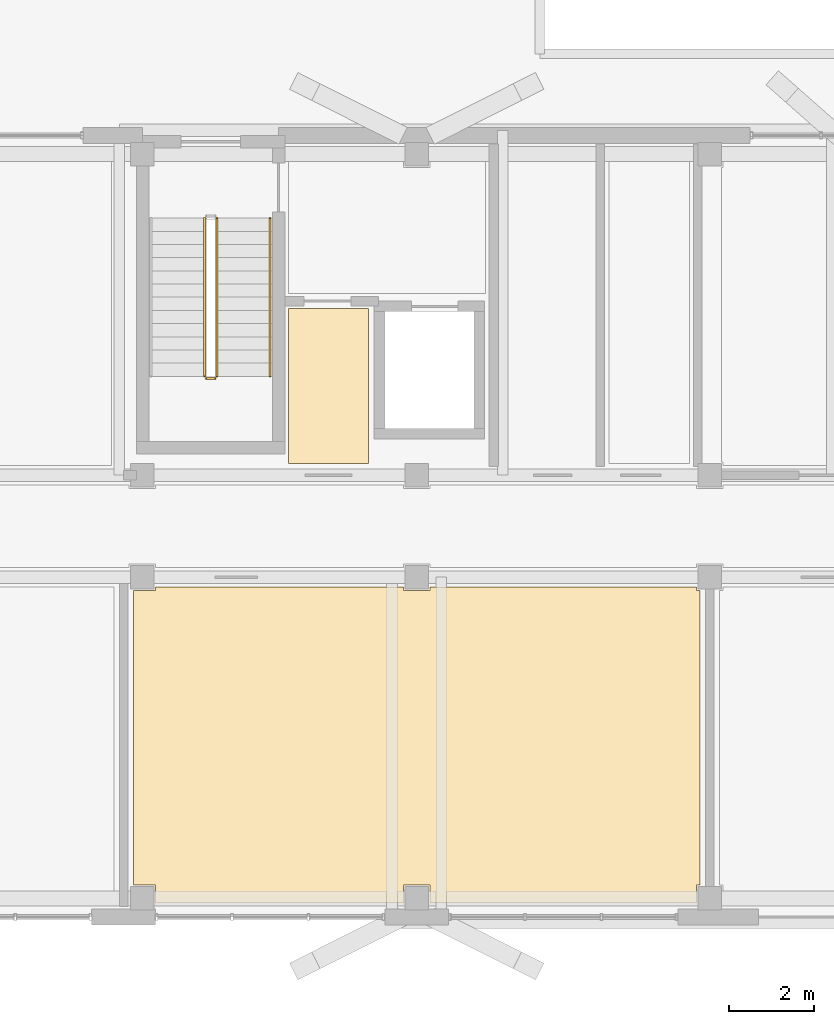
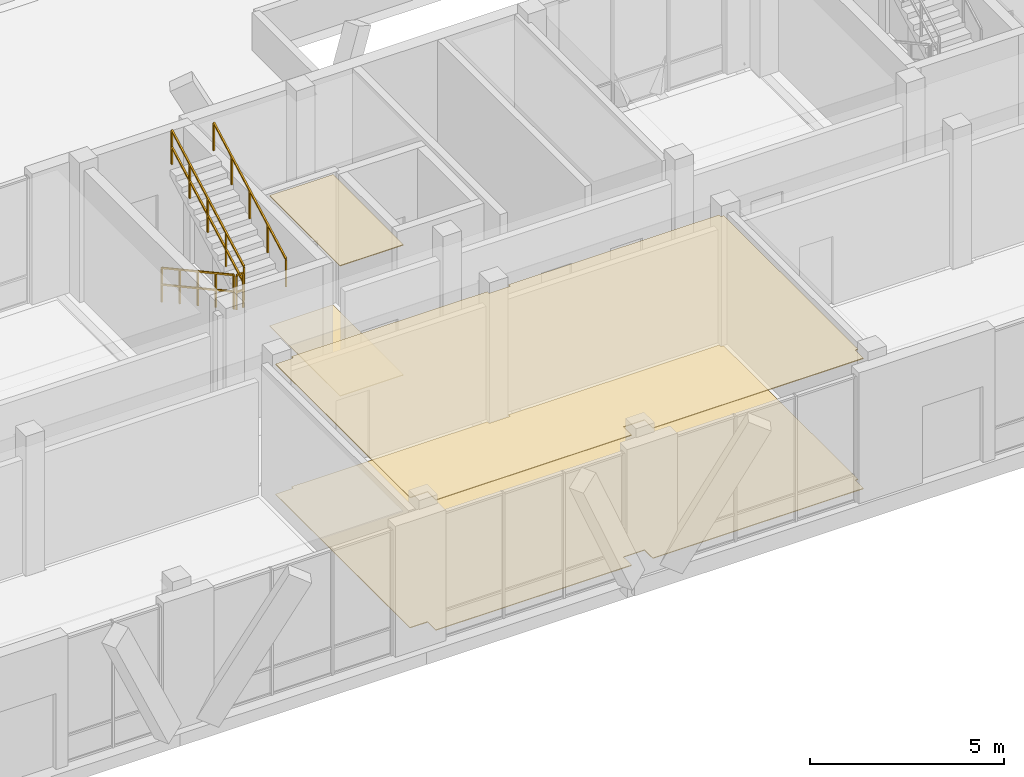
# One storey, part 227 of 233: 4 coverings, 4 railings.
"""IFC4 building model written with IfcOpenShell, lengths in metres."""

from ifc_helpers import new_model, si_unit, direction, frame, origin, origin_2d, place, context, subcontext, project, spatial, polyline, rectangle, outline, extrude, material, layer, layer_set, type_object, element, save


model = new_model("IFC4")

# Units and contexts
model_context = context("Model", 3, precision=1e-05, world=origin(), true_north=direction((0.0, 1.0)))
body_context = subcontext(model_context, "Body", "Model", "MODEL_VIEW")
ifc_project = project(units=[si_unit("LENGTHUNIT", "METRE"), si_unit("AREAUNIT", "SQUARE_METRE"), si_unit("VOLUMEUNIT", "CUBIC_METRE"), si_unit("PLANEANGLEUNIT", "RADIAN"), si_unit("MASSUNIT", "GRAM", prefix="KILO")], contexts=[model_context])

# Site, building, storey
site_placement = place(None, origin())
site = spatial("IfcSite", under=ifc_project, at=site_placement, CompositionType="ELEMENT")
building_placement = place(site_placement, origin())
building = spatial("IfcBuilding", under=site, at=building_placement, Name="Zavelmont Quarter", CompositionType="ELEMENT")
storey_placement = place(building_placement, origin())
storey = spatial("IfcBuildingStorey", under=building, at=storey_placement, Name="L00", CompositionType="ELEMENT", Elevation=0.0)

# Coverings
ifc_material_1 = material(Name="Perforated acoustic gypsum board")
ifc_layer_1 = layer(ifc_material_1, 0.02490234375)
ifc_layer_set_1 = layer_set([ifc_layer_1], Name="Perforated acoustic gypsum board")
covering_type_1 = type_object("IfcCoveringType", Name="CV-CL01", PredefinedType="CEILING", material=ifc_layer_set_1)
covering_1_placement = place(storey_placement, frame((0.0, 0.0, 4.094970703125)))
element("IfcCovering", 1, at=covering_1_placement, inside=storey, type_object=covering_type_1, Name="L00 Lobby Vestibule acoustic ceiling", PredefinedType="CEILING", context=body_context, shape_type="SweptSolid", body=[
    extrude(outline(polyline([(130.47998046875, 14.320068359375), (132.3701171875, 14.320068359375), (132.3701171875, 10.679931640625), (130.47998046875, 10.679931640625), (130.47998046875, 14.320068359375)])), origin(), (0.0, 0.0, 1.0), 0.025146484375),
])
covering_2_placement = place(storey_placement, frame((0.0, 0.0, 4.094970703125)))
element("IfcCovering", 2, at=covering_2_placement, inside=storey, type_object=covering_type_1, Name="L00 Residents Community Room acoustic ceiling", PredefinedType="CEILING", context=body_context, shape_type="SweptSolid", body=[
    extrude(outline(polyline([(126.830078125, 7.68505859375), (127.35498046875, 7.68505859375), (127.35498046875, 7.77001953125), (133.18505859375, 7.77001953125), (133.18505859375, 7.68505859375), (133.81494140625, 7.68505859375), (133.81494140625, 7.77001953125), (140.0849609375, 7.77001953125), (140.0849609375, 7.68505859375), (140.169921875, 7.68505859375), (140.169921875, 0.7548828125), (140.0849609375, 0.7548828125), (140.0849609375, 0.330078125), (133.81494140625, 0.330078125), (133.81494140625, 0.7548828125), (133.18505859375, 0.7548828125), (133.18505859375, 0.330078125), (127.35498046875, 0.330078125), (127.35498046875, 0.7548828125), (126.830078125, 0.7548828125), (126.830078125, 7.68505859375)])), origin(), (0.0, 0.0, 1.0), 0.025146484375),
])
ifc_material_2 = material(Name="Engineered European oak parquet")
ifc_layer_2 = layer(ifc_material_2, 0.02197265625)
ifc_layer_set_2 = layer_set([ifc_layer_2], Name="Engineered European oak parquet")
covering_type_2 = type_object("IfcCoveringType", Name="CV-FL01", PredefinedType="FLOORING", material=ifc_layer_set_2)
covering_3_placement = place(storey_placement, origin())
element("IfcCovering", 3, at=covering_3_placement, inside=storey, type_object=covering_type_2, Name="L00 Lobby Vestibule floor finish", PredefinedType="FLOORING", context=body_context, shape_type="SweptSolid", body=[
    extrude(outline(polyline([(130.47998046875, 14.320068359375), (132.3701171875, 14.320068359375), (132.3701171875, 10.679931640625), (130.47998046875, 10.679931640625), (130.47998046875, 14.320068359375)])), origin(), (0.0, 0.0, 1.0), 0.02197265625),
])
covering_4_placement = place(storey_placement, origin())
element("IfcCovering", 4, at=covering_4_placement, inside=storey, type_object=covering_type_2, Name="L00 Residents Community Room floor finish", PredefinedType="FLOORING", context=body_context, shape_type="SweptSolid", body=[
    extrude(outline(polyline([(126.830078125, 7.68505859375), (127.35498046875, 7.68505859375), (127.35498046875, 7.77001953125), (133.18505859375, 7.77001953125), (133.18505859375, 7.68505859375), (133.81494140625, 7.68505859375), (133.81494140625, 7.77001953125), (140.0849609375, 7.77001953125), (140.0849609375, 7.68505859375), (140.169921875, 7.68505859375), (140.169921875, 0.7548828125), (140.0849609375, 0.7548828125), (140.0849609375, 0.330078125), (133.81494140625, 0.330078125), (133.81494140625, 0.7548828125), (133.18505859375, 0.7548828125), (133.18505859375, 0.330078125), (127.35498046875, 0.330078125), (127.35498046875, 0.7548828125), (126.830078125, 0.7548828125), (126.830078125, 7.68505859375)])), origin(), (0.0, 0.0, 1.0), 0.02197265625),
])

# Railings
ifc_material_3 = material(Name="Powder-coated steel stair guardrail", Category="steel")
railing_type_1 = type_object("IfcRailingType", Name="RL-GRD1", PredefinedType="GUARDRAIL", material=ifc_material_3)
railing_1_placement = place(storey_placement, frame((128.5, 16.449951171875, 0.169189453125)))
element("IfcRailing", 5, at=railing_1_placement, inside=storey, type_object=railing_type_1, Name="L00 ST07 stair guardrail 1", PredefinedType="GUARDRAIL", context=body_context, shape_type="SweptSolid", body=[
    extrude(rectangle(XDim=0.048095703125, YDim=0.048095703125, at=origin_2d()), frame((0.0, 0.0, 1.076171875), z_axis=(0.0, -0.877728207833, 0.479158839191), x_axis=(1.0, 0.0, 0.0)), (0.0, 0.0, 1.0), 4.23828125),
    extrude(rectangle(XDim=0.048095703125, YDim=0.048095703125, at=origin_2d()), frame((0.0, 0.0, 0.550048828125), z_axis=(0.0, -0.877728207833, 0.479158839191), x_axis=(1.0, 0.0, 0.0)), (0.0, 0.0, 1.0), 4.23828125),
    extrude(rectangle(XDim=0.0419921875, YDim=0.0419921875, at=origin_2d()), origin(), (0.0, 0.0, 1.0), 1.052001953125),
    extrude(rectangle(XDim=0.0419921875, YDim=0.0419921875, at=origin_2d()), frame((0.0, -0.929931640625, 0.5078125)), (0.0, 0.0, 1.0), 1.052001953125),
    extrude(rectangle(XDim=0.0419921875, YDim=0.0419921875, at=origin_2d()), frame((0.0, -1.85986328125, 1.015380859375)), (0.0, 0.0, 1.0), 1.052001953125),
    extrude(rectangle(XDim=0.0419921875, YDim=0.0419921875, at=origin_2d()), frame((0.0, -2.7900390625, 1.52294921875)), (0.0, 0.0, 1.0), 1.052001953125),
    extrude(rectangle(XDim=0.0419921875, YDim=0.0419921875, at=origin_2d()), frame((0.0, -3.719970703125, 2.03076171875)), (0.0, 0.0, 1.0), 1.052001953125),
])
railing_2_placement = place(storey_placement, frame((128.550048828125, 12.679931640625, 2.199951171875)))
element("IfcRailing", 6, at=railing_2_placement, inside=storey, type_object=railing_type_1, Name="L00 ST07 stair guardrail 2", PredefinedType="GUARDRAIL", context=body_context, shape_type="SweptSolid", body=[
    extrude(rectangle(XDim=0.048095703125, YDim=0.048095703125, at=origin_2d()), frame((0.0, 0.0, 1.076171875), z_axis=(1.0, 0.0, 0.0), x_axis=(0.0, 1.0, 0.0)), (0.0, 0.0, 1.0), 0.199951171875),
    extrude(rectangle(XDim=0.048095703125, YDim=0.048095703125, at=origin_2d()), frame((0.0, 0.0, 0.550048828125), z_axis=(1.0, 0.0, 0.0), x_axis=(0.0, 1.0, 0.0)), (0.0, 0.0, 1.0), 0.199951171875),
    extrude(rectangle(XDim=0.0419921875, YDim=0.0419921875, at=origin_2d()), origin(), (0.0, 0.0, 1.0), 1.052001953125),
    extrude(rectangle(XDim=0.0419921875, YDim=0.0419921875, at=origin_2d()), frame((0.199951171875, 0.0, 0.0)), (0.0, 0.0, 1.0), 1.052001953125),
])
railing_3_placement = place(storey_placement, frame((128.800048828125, 12.72998046875, 2.369140625)))
element("IfcRailing", 7, at=railing_3_placement, inside=storey, type_object=railing_type_1, Name="L00 ST07 stair guardrail 3", PredefinedType="GUARDRAIL", context=body_context, shape_type="SweptSolid", body=[
    extrude(rectangle(XDim=0.048095703125, YDim=0.048095703125, at=origin_2d()), frame((0.0, 0.0, 1.076171875), z_axis=(0.0, 0.877728207833, 0.479158839191), x_axis=(-1.0, 0.0, 0.0)), (0.0, 0.0, 1.0), 4.23828125),
    extrude(rectangle(XDim=0.048095703125, YDim=0.048095703125, at=origin_2d()), frame((0.0, 0.0, 0.550048828125), z_axis=(0.0, 0.877728207833, 0.479158839191), x_axis=(-1.0, 0.0, 0.0)), (0.0, 0.0, 1.0), 4.23828125),
    extrude(rectangle(XDim=0.0419921875, YDim=0.0419921875, at=origin_2d()), origin(), (0.0, 0.0, 1.0), 1.052001953125),
    extrude(rectangle(XDim=0.0419921875, YDim=0.0419921875, at=origin_2d()), frame((0.0, 0.929931640625, 0.5078125)), (0.0, 0.0, 1.0), 1.052001953125),
    extrude(rectangle(XDim=0.0419921875, YDim=0.0419921875, at=origin_2d()), frame((0.0, 1.85986328125, 1.015380859375)), (0.0, 0.0, 1.0), 1.052001953125),
    extrude(rectangle(XDim=0.0419921875, YDim=0.0419921875, at=origin_2d()), frame((0.0, 2.7900390625, 1.52294921875)), (0.0, 0.0, 1.0), 1.052001953125),
    extrude(rectangle(XDim=0.0419921875, YDim=0.0419921875, at=origin_2d()), frame((0.0, 3.719970703125, 2.03076171875)), (0.0, 0.0, 1.0), 1.052001953125),
])
ifc_material_4 = material(Name="Brushed stainless-steel wall handrail", Category="steel")
railing_type_2 = type_object("IfcRailingType", Name="RL-HND1", PredefinedType="HANDRAIL", material=ifc_material_4)
railing_4_placement = place(storey_placement, frame((130.050048828125, 12.72998046875, 2.369140625)))
element("IfcRailing", 8, at=railing_4_placement, inside=storey, type_object=railing_type_2, Name="L00 ST07 stair handrail 2", PredefinedType="HANDRAIL", context=body_context, shape_type="SweptSolid", body=[
    extrude(rectangle(XDim=0.048095703125, YDim=0.048095703125, at=origin_2d()), frame((0.0, 0.0, 0.8759765625), z_axis=(0.0, 0.877728207833, 0.479158839191), x_axis=(-1.0, 0.0, 0.0)), (0.0, 0.0, 1.0), 4.23828125),
    extrude(rectangle(XDim=0.0419921875, YDim=0.0419921875, at=origin_2d()), origin(), (0.0, 0.0, 1.0), 0.851806640625),
    extrude(rectangle(XDim=0.0419921875, YDim=0.0419921875, at=origin_2d()), frame((0.0, 0.929931640625, 0.5078125)), (0.0, 0.0, 1.0), 0.851806640625),
    extrude(rectangle(XDim=0.0419921875, YDim=0.0419921875, at=origin_2d()), frame((0.0, 1.85986328125, 1.015380859375)), (0.0, 0.0, 1.0), 0.851806640625),
    extrude(rectangle(XDim=0.0419921875, YDim=0.0419921875, at=origin_2d()), frame((0.0, 2.7900390625, 1.52294921875)), (0.0, 0.0, 1.0), 0.851806640625),
    extrude(rectangle(XDim=0.0419921875, YDim=0.0419921875, at=origin_2d()), frame((0.0, 3.719970703125, 2.03076171875)), (0.0, 0.0, 1.0), 0.851806640625),
])

save(model, "model.ifc")
